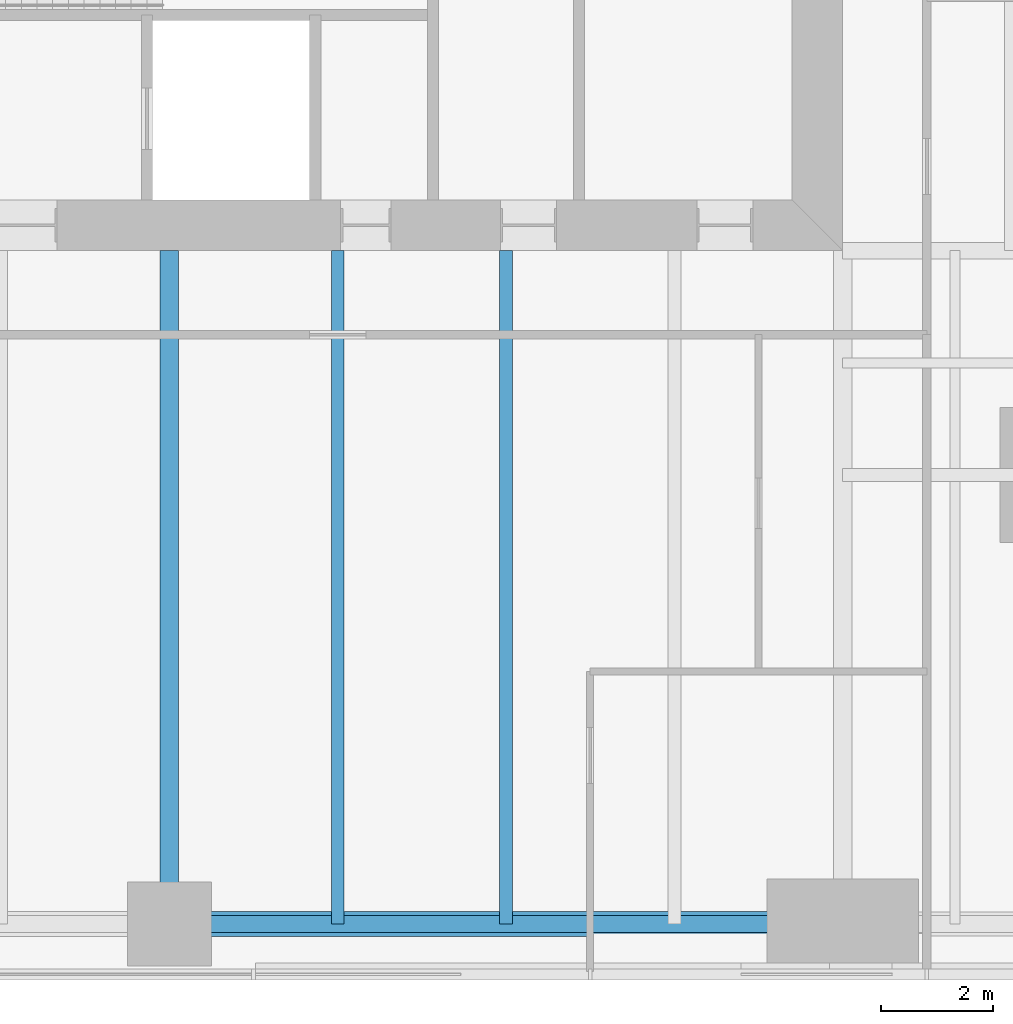
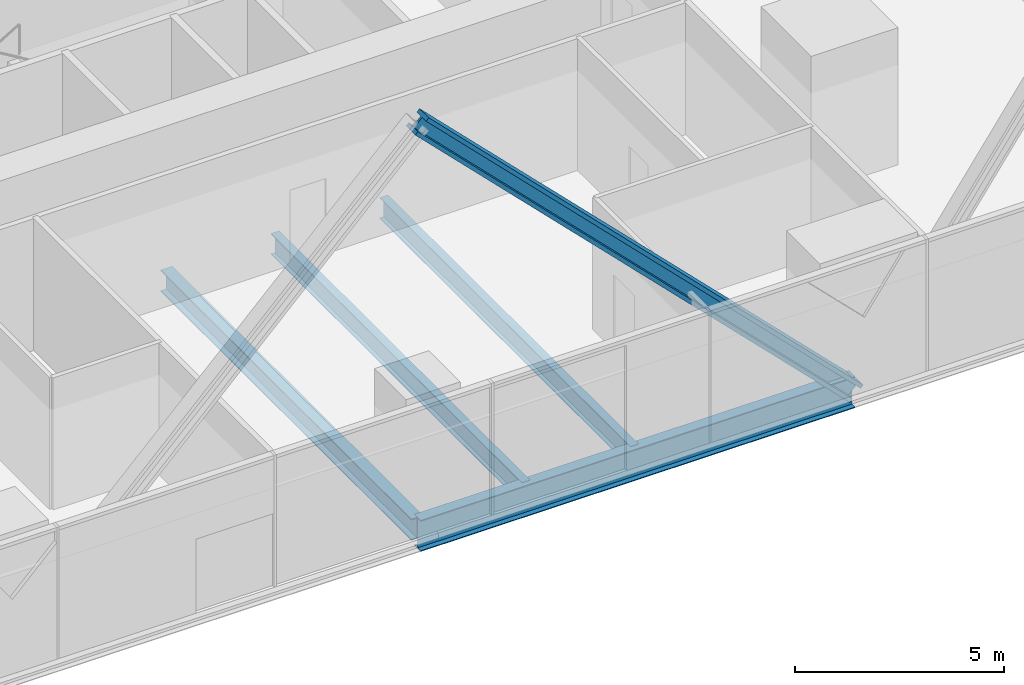
# One storey, part 3 of 13: 4 beams, 1 member.
"""IFC4 building model written with IfcOpenShell, lengths in metres."""

from ifc_helpers import new_model, si_unit, direction, frame, origin, origin_2d, place, context, subcontext, project, spatial, i_section, extrude, material, material_profile, profile_set, type_object, element, save


model = new_model("IFC4")

# Units and contexts
model_context = context("Model", 3, precision=1e-05, world=origin(), true_north=direction((0.0, 1.0)))
body_context = subcontext(model_context, "Body", "Model", "MODEL_VIEW")
ifc_project = project(units=[si_unit("LENGTHUNIT", "METRE"), si_unit("AREAUNIT", "SQUARE_METRE"), si_unit("VOLUMEUNIT", "CUBIC_METRE"), si_unit("PLANEANGLEUNIT", "RADIAN"), si_unit("MASSUNIT", "GRAM", prefix="KILO")], contexts=[model_context])

# Site, building, storey
site_placement = place(None, origin())
site = spatial("IfcSite", under=ifc_project, at=site_placement, CompositionType="ELEMENT")
building_placement = place(site_placement, origin())
building = spatial("IfcBuilding", under=site, at=building_placement, Name="Fenwick Lantern Interchange", CompositionType="ELEMENT")
storey_placement = place(building_placement, frame((0.0, 0.0, 55.0)))
storey = spatial("IfcBuildingStorey", under=building, at=storey_placement, Name="L12", CompositionType="ELEMENT", Elevation=55.0)

# Beam
ifc_material = material(Name="Steel ASTM A992 Grade 50", Category="steel")
ifc_material_profile_1 = material_profile(ifc_material, i_section(OverallWidth=0.3046875, OverallDepth=0.911865234375, WebThickness=0.015869140625, FlangeThickness=0.02392578125, at=origin_2d()), Name="W36X150")
ifc_profile_set_1 = profile_set([ifc_material_profile_1], Name="Steel ASTM A992 Grade 50")
beam_type_1 = type_object("IfcBeamType", Name="EDGE BEAM W36X150", PredefinedType="SPANDREL", material=ifc_profile_set_1)
beam_1_placement = place(storey_placement, frame((25.0, 1.0, -0.60595703125), z_axis=(1.0, 0.0, 0.0), x_axis=(0.0, 1.0, 0.0)))
element("IfcBeam", 1, at=beam_1_placement, inside=storey, type_object=beam_type_1, Name="L12/FR/S/EB3", PredefinedType="SPANDREL", context=body_context, shape_type="SweptSolid", body=[
    extrude(i_section(OverallWidth=0.3046875, OverallDepth=0.911865234375, WebThickness=0.015869140625, FlangeThickness=0.02392578125, at=origin_2d()), origin(), (0.0, 0.0, 1.0), 12.0),
])

# Member
ifc_material_profile_2 = material_profile(ifc_material, i_section(OverallWidth=0.44189453125, OverallDepth=0.53076171875, WebThickness=0.06591796875, FlangeThickness=0.105712890625, at=origin_2d()), Name="W14X605")
ifc_profile_set_2 = profile_set([ifc_material_profile_2], Name="Steel ASTM A992 Grade 50")
member_type = type_object("IfcMemberType", Name="FACADE BRACE W14X605", PredefinedType="BRACE", material=ifc_profile_set_2)
member_placement = place(storey_placement, frame((37.0, 1.0, -0.60595703125), z_axis=(-0.707106781187, 0.0, 0.707106781187), x_axis=(0.0, -1.0, 0.0)))
element("IfcMember", 2, at=member_placement, inside=storey, type_object=member_type, Name="L12/FB/S/B", PredefinedType="BRACE", context=body_context, shape_type="SweptSolid", body=[
    extrude(i_section(OverallWidth=0.44189453125, OverallDepth=0.53076171875, WebThickness=0.06591796875, FlangeThickness=0.105712890625, at=origin_2d()), origin(), (0.0, 0.0, 1.0), 16.970458984375),
])

# Beams
ifc_material_profile_3 = material_profile(ifc_material, i_section(OverallWidth=0.22900390625, OverallDepth=0.612060546875, WebThickness=0.011962890625, FlangeThickness=0.01953125, at=origin_2d()), Name="W24X84")
ifc_profile_set_3 = profile_set([ifc_material_profile_3], Name="Steel ASTM A992 Grade 50")
beam_type_2 = type_object("IfcBeamType", Name="FLOOR BEAM W24X84", PredefinedType="BEAM", material=ifc_profile_set_3)
for number, where, z_axis, x_axis, name in (
    (3, (28.0, 1.0, -0.4560546875), (0.0, 1.0, 0.0), (-1.0, 0.0, 0.0), "L12/FR/S/R06"),
    (4, (31.0, 1.0, -0.4560546875), (0.0, 1.0, 0.0), (-1.0, 0.0, 0.0), "L12/FR/S/R07"),
):
    element("IfcBeam", number, at=place(storey_placement, frame(where, z_axis=z_axis, x_axis=x_axis)), inside=storey, type_object=beam_type_2, Name=name, PredefinedType="BEAM", context=body_context, shape_type="SweptSolid", body=[
        extrude(i_section(OverallWidth=0.22900390625, OverallDepth=0.612060546875, WebThickness=0.011962890625, FlangeThickness=0.01953125, at=origin_2d()), origin(), (0.0, 0.0, 1.0), 12.0),
    ])
ifc_material_profile_4 = material_profile(ifc_material, i_section(OverallWidth=0.32763671875, OverallDepth=0.622314453125, WebThickness=0.015380859375, FlangeThickness=0.0244140625, at=origin_2d()), Name="W24X131")
ifc_profile_set_4 = profile_set([ifc_material_profile_4], Name="Steel ASTM A992 Grade 50")
beam_type_3 = type_object("IfcBeamType", Name="MOMENT-CONNECTED GIRDER W24X131", PredefinedType="BEAM", material=ifc_profile_set_4)
beam_2_placement = place(storey_placement, frame((25.0, 1.0, -0.461181640625), z_axis=(0.0, 1.0, 0.0), x_axis=(-1.0, 0.0, 0.0)))
element("IfcBeam", 5, at=beam_2_placement, inside=storey, type_object=beam_type_3, Name="L12/FR/S/R05", PredefinedType="BEAM", context=body_context, shape_type="SweptSolid", body=[
    extrude(i_section(OverallWidth=0.32763671875, OverallDepth=0.622314453125, WebThickness=0.015380859375, FlangeThickness=0.0244140625, at=origin_2d()), origin(), (0.0, 0.0, 1.0), 12.0),
])

save(model, "model.ifc")
